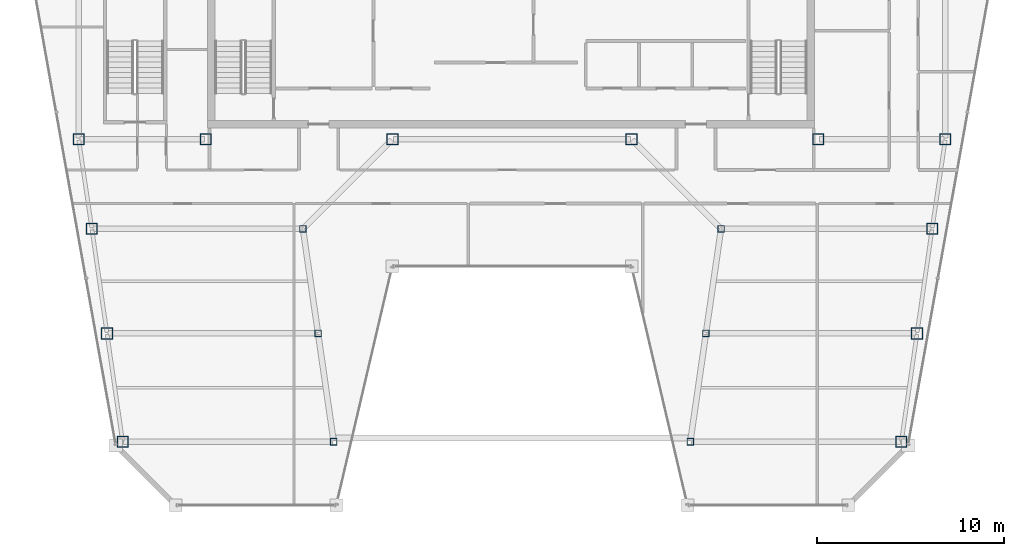
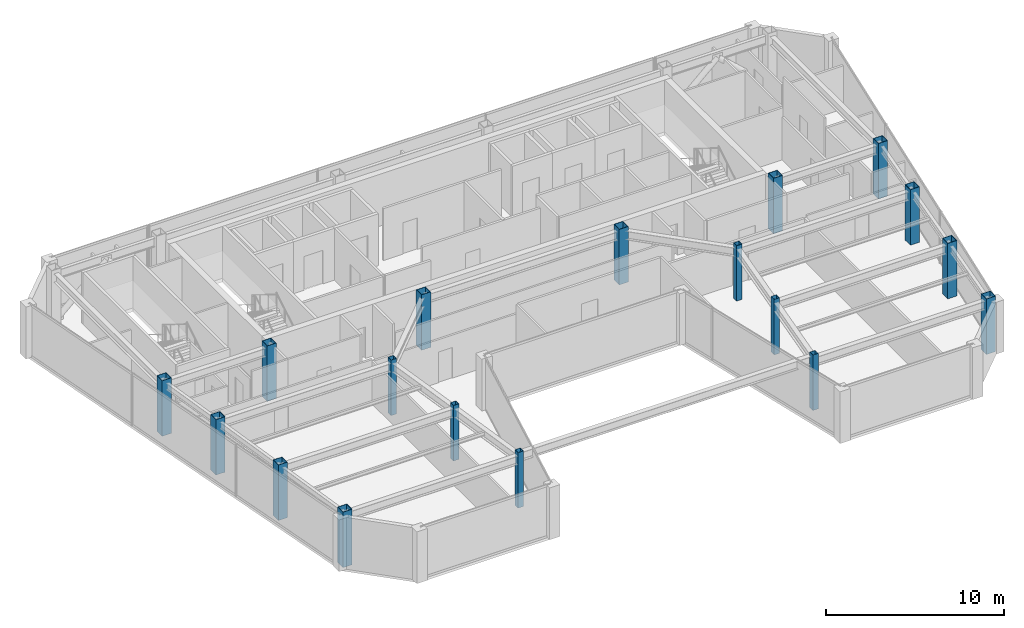
# One storey, part 1 of 32: 18 columns.
"""IFC4 building model written with IfcOpenShell, lengths in metres."""

from ifc_helpers import new_model, si_unit, direction, frame, origin, origin_2d, place, context, subcontext, project, spatial, hollow_rectangle, extrude, material, material_profile, profile_set, type_object, element, save


model = new_model("IFC4")

# Units and contexts
model_context = context("Model", 3, precision=1e-05, world=origin(), true_north=direction((0.0, 1.0)))
body_context = subcontext(model_context, "Body", "Model", "MODEL_VIEW")
ifc_project = project(units=[si_unit("LENGTHUNIT", "METRE"), si_unit("AREAUNIT", "SQUARE_METRE"), si_unit("VOLUMEUNIT", "CUBIC_METRE"), si_unit("PLANEANGLEUNIT", "RADIAN"), si_unit("MASSUNIT", "GRAM", prefix="KILO")], contexts=[model_context])

# Site, building, storey
site_placement = place(None, origin())
site = spatial("IfcSite", under=ifc_project, at=site_placement, CompositionType="ELEMENT")
building_placement = place(site_placement, origin())
building = spatial("IfcBuilding", under=site, at=building_placement, Name="Saevonmaru Cultural Tower", CompositionType="ELEMENT")
storey_placement = place(building_placement, frame((0.0, 0.0, 268.60009765625)))
storey = spatial("IfcBuildingStorey", under=building, at=storey_placement, Name="L63", CompositionType="ELEMENT", Elevation=268.60009765625)

# Columns
ifc_material = material(Name="Steel SM355", Category="steel")
ifc_material_profile_1 = material_profile(ifc_material, hollow_rectangle(XDim=0.60009765625, YDim=0.60009765625, WallThickness=0.028076171875, at=origin_2d()), Name="BOX-600x600x28")
ifc_profile_set_1 = profile_set([ifc_material_profile_1], Name="Steel SM355")
column_type_1 = type_object("IfcColumnType", Name="COL-BOX-600", PredefinedType="COLUMN", material=ifc_profile_set_1)
for number, where, z_axis, x_axis, name in (
    (1, (6.800048828125, 42.39990234375, 0.0), (0.0, 0.0, 1.0), (1.0, 0.0, 0.0), "L63 Column TC-S1C"),
    (2, (13.60009765625, 42.39990234375, 0.0), (0.0, 0.0, 1.0), (1.0, 0.0, 0.0), "L63 Column TC-S2C"),
    (3, (23.60009765625, 42.39990234375, 0.0), (0.0, 0.0, 1.0), (1.0, 0.0, 0.0), "L63 Column TC-S3C"),
    (4, (36.39990234375, 42.39990234375, 0.0), (0.0, 0.0, 1.0), (1.0, 0.0, 0.0), "L63 Column TC-S4C"),
    (5, (46.39990234375, 42.39990234375, 0.0), (0.0, 0.0, 1.0), (1.0, 0.0, 0.0), "L63 Column TC-S5C"),
    (6, (53.199951171875, 42.39990234375, 0.0), (0.0, 0.0, 1.0), (1.0, 0.0, 0.0), "L63 Column TC-S6C"),
    (7, (9.154052734375, 26.199951171875, 0.0), (0.0, 0.0, 1.0), (1.0, 0.0, 0.0), "L63 Column TC-WO-Y262"),
    (8, (50.845947265625, 26.199951171875, 0.0), (0.0, 0.0, 1.0), (1.0, 0.0, 0.0), "L63 Column TC-EO-Y262"),
    (9, (8.31689453125, 32.0, 0.0), (0.0, 0.0, 1.0), (1.0, 0.0, 0.0), "L63 Column TC-WO-Y320"),
    (10, (51.68310546875, 32.0, 0.0), (0.0, 0.0, 1.0), (1.0, 0.0, 0.0), "L63 Column TC-EO-Y320"),
    (11, (7.508056640625, 37.60009765625, 0.0), (0.0, 0.0, 1.0), (1.0, 0.0, 0.0), "L63 Column TC-WO-Y376"),
    (12, (52.491943359375, 37.60009765625, 0.0), (0.0, 0.0, 1.0), (1.0, 0.0, 0.0), "L63 Column TC-EO-Y376"),
):
    element("IfcColumn", number, at=place(storey_placement, frame(where, z_axis=z_axis, x_axis=x_axis)), inside=storey, type_object=column_type_1, Name=name, PredefinedType="COLUMN", context=body_context, shape_type="SweptSolid", body=[
        extrude(hollow_rectangle(XDim=0.60009765625, YDim=0.60009765625, WallThickness=0.028076171875, at=origin_2d()), origin(), (0.0, 0.0, 1.0), 3.7998046875),
    ])
ifc_material_profile_2 = material_profile(ifc_material, hollow_rectangle(XDim=0.35009765625, YDim=0.35009765625, WallThickness=0.01611328125, at=origin_2d()), Name="SHS-350x350x16")
ifc_profile_set_2 = profile_set([ifc_material_profile_2], Name="Steel SM355")
column_type_2 = type_object("IfcColumnType", Name="COL-SHS-350", PredefinedType="COLUMN", material=ifc_profile_set_2)
for number, where, z_axis, x_axis, name in (
    (13, (20.4541015625, 26.199951171875, 0.0), (0.0, 0.0, 1.0), (1.0, 0.0, 0.0), "L63 Column TC-WI-Y262"),
    (14, (39.5458984375, 26.199951171875, 0.0), (0.0, 0.0, 1.0), (1.0, 0.0, 0.0), "L63 Column TC-EI-Y262"),
    (15, (19.616943359375, 32.0, 0.0), (0.0, 0.0, 1.0), (1.0, 0.0, 0.0), "L63 Column TC-WI-Y320"),
    (16, (40.383056640625, 32.0, 0.0), (0.0, 0.0, 1.0), (1.0, 0.0, 0.0), "L63 Column TC-EI-Y320"),
    (17, (18.80810546875, 37.60009765625, 0.0), (0.0, 0.0, 1.0), (1.0, 0.0, 0.0), "L63 Column TC-WI-Y376"),
    (18, (41.19189453125, 37.60009765625, 0.0), (0.0, 0.0, 1.0), (1.0, 0.0, 0.0), "L63 Column TC-EI-Y376"),
):
    element("IfcColumn", number, at=place(storey_placement, frame(where, z_axis=z_axis, x_axis=x_axis)), inside=storey, type_object=column_type_2, Name=name, PredefinedType="COLUMN", context=body_context, shape_type="SweptSolid", body=[
        extrude(hollow_rectangle(XDim=0.35009765625, YDim=0.35009765625, WallThickness=0.01611328125, at=origin_2d()), origin(), (0.0, 0.0, 1.0), 3.7998046875),
    ])

save(model, "model.ifc")
